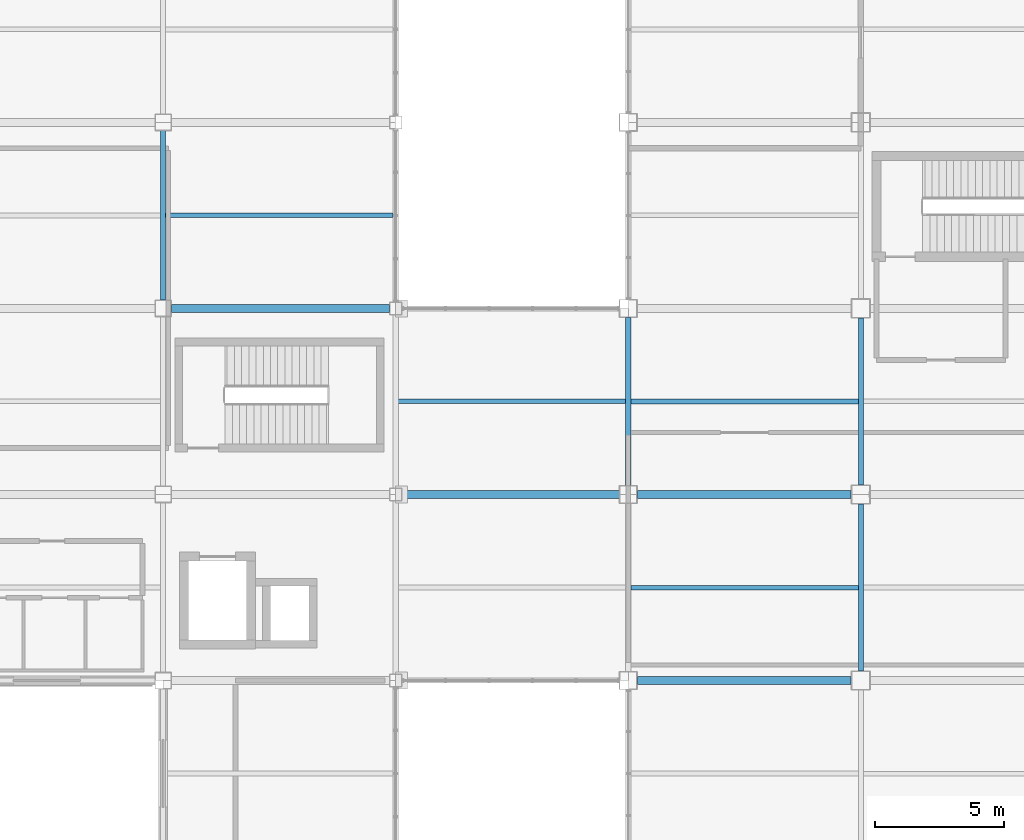
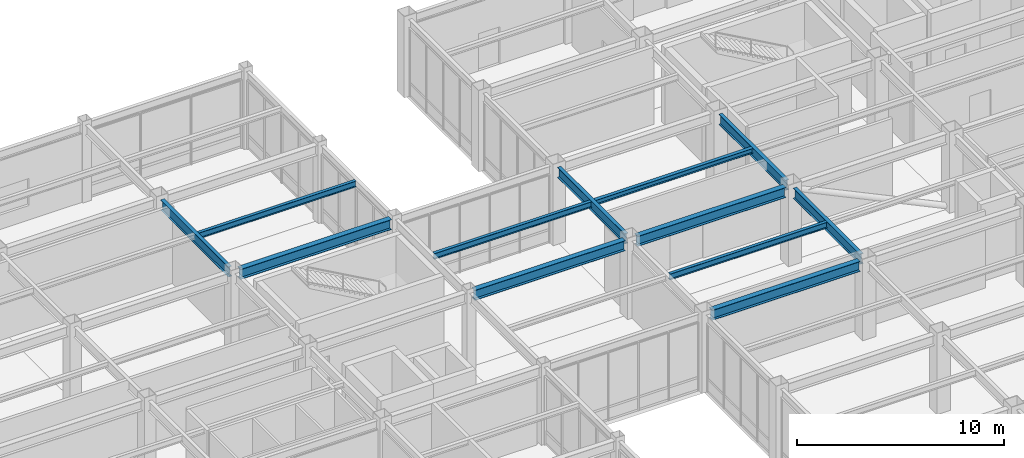
# One storey, part 65 of 112: 12 beams.
"""IFC4 building model written with IfcOpenShell, lengths in metres."""

import ifcopenshell
import ifcopenshell.guid

model = None  # the IFC model being written
_history = None  # IfcOwnerHistory: only IFC2X3 demands one
_inside = {}  # id of a spatial element -> (the spatial element, [elements in it])
_under = {}  # id of a project, library or spatial element -> (it, [spatial elements below it])
_declared = {}  # id of a project -> (the project, [libraries it declares])
_typed = {}  # id of a type object -> (the type object, [elements of that type])
_made_of = {}  # id of a material, layer set ... -> (it, [elements and type objects made of it])


def new_model(schema):
    """Start an empty IFC model of exactly this schema.

    Asked for "IFC4X3", IfcOpenShell would pick the latest addendum, in which some entities
    have other attributes; the version numbers below select the first issue.
    IFC2X3 requires an IfcOwnerHistory on every rooted entity: one is made here for all.
    """
    global model, _history
    if schema == "IFC4X3":
        model = ifcopenshell.file(schema_version=(4, 3, 0, 0))
    else:
        model = ifcopenshell.file(schema=schema)
    _inside.clear()
    _under.clear()
    _declared.clear()
    _typed.clear()
    _made_of.clear()
    _history = None
    if model.schema == "IFC2X3":
        org = make("IfcOrganization", Name="unknown")
        user = make(
            "IfcPersonAndOrganization",
            ThePerson=make("IfcPerson", FamilyName="unknown"),
            TheOrganization=org,
        )
        app = make(
            "IfcApplication",
            ApplicationDeveloper=org,
            Version="unknown",
            ApplicationFullName="unknown",
            ApplicationIdentifier="unknown",
        )
        _history = make(
            "IfcOwnerHistory",
            OwningUser=user,
            OwningApplication=app,
            ChangeAction="ADDED",
            CreationDate=0,
        )
    return model


def make(cls, **values):
    """One entity of the class cls with the attributes given. An attribute that is None is left unset."""
    return model.create_entity(
        cls, **{name: value for name, value in values.items() if value is not None}
    )


def rooted(cls, **values):
    """An entity with a GlobalId (a new one), such as an element, a storey or a relation."""
    return make(cls, GlobalId=ifcopenshell.guid.new(), OwnerHistory=_history, **values)


def si_unit(unit_type, name, prefix=None):
    """IfcSIUnit, for example si_unit("LENGTHUNIT", "METRE", prefix="MILLI")."""
    return make("IfcSIUnit", UnitType=unit_type, Prefix=prefix, Name=name)


def assignment(units):
    """IfcUnitAssignment: the units of a project."""
    return None if units is None else make("IfcUnitAssignment", Units=units)


def point(xyz):
    """IfcCartesianPoint."""
    return None if xyz is None else make("IfcCartesianPoint", Coordinates=xyz)


def direction(xyz):
    """IfcDirection."""
    return None if xyz is None else make("IfcDirection", DirectionRatios=xyz)


def frame(location, z_axis=None, x_axis=None):
    """IfcAxis2Placement3D, a coordinate frame: its origin and axes. An axis left out is left unset."""
    return make(
        "IfcAxis2Placement3D",
        Location=point(location),
        Axis=direction(z_axis),
        RefDirection=direction(x_axis),
    )


def frame_2d(location, x_axis=None):
    """IfcAxis2Placement2D, a coordinate frame in the plane: its origin and x axis."""
    return make(
        "IfcAxis2Placement2D", Location=point(location), RefDirection=direction(x_axis)
    )


def origin():
    """The frame at (0, 0, 0) with its axes left unset."""
    return frame((0.0, 0.0, 0.0))


def origin_2d():
    """The frame at (0, 0) in the plane with its x axis left unset."""
    return frame_2d((0.0, 0.0))


def place(relative_to, where):
    """IfcLocalPlacement: puts the frame where relative to a parent placement (None: the world)."""
    return make(
        "IfcLocalPlacement", PlacementRelTo=relative_to, RelativePlacement=where
    )


def context(
    kind, dimensions, precision=None, world=None, true_north=None, identifier=None
):
    """IfcGeometricRepresentationContext, for example the 3D "Model" context."""
    return make(
        "IfcGeometricRepresentationContext",
        ContextIdentifier=identifier,
        ContextType=kind,
        CoordinateSpaceDimension=dimensions,
        Precision=precision,
        WorldCoordinateSystem=world,
        TrueNorth=true_north,
    )


def subcontext(parent, identifier, kind, view, scale=None):
    """IfcGeometricRepresentationSubContext, for example "Body" below "Model"."""
    return make(
        "IfcGeometricRepresentationSubContext",
        ContextIdentifier=identifier,
        ContextType=kind,
        ParentContext=parent,
        TargetScale=scale,
        TargetView=view,
    )


def project(units=None, contexts=None):
    """IfcProject with its units and contexts."""
    return rooted(
        "IfcProject",
        Name="project",
        RepresentationContexts=contexts,
        UnitsInContext=assignment(units),
    )


def spatial(cls, under=None, at=None, **own):
    """A site, building, storey or space (cls), placed at a placement, below another one or the project."""
    s = rooted(cls, ObjectPlacement=at, **own)
    if under is not None:
        _under.setdefault(under.id(), (under, []))[1].append(s)
    return s


def profile(cls, at=None, kind="AREA", **sizes):
    """A parametric profile (cls). Its sizes go by their IFC names, for example OverallWidth=200.0."""
    return make(cls, ProfileType=kind, Position=at, **sizes)


def i_section(**sizes):
    """IfcIShapeProfileDef."""
    return profile("IfcIShapeProfileDef", **sizes)


def extrude(swept, where, along, depth):
    """IfcExtrudedAreaSolid: the profile swept, set in the frame where, extruded along a direction by depth."""
    return make(
        "IfcExtrudedAreaSolid",
        SweptArea=swept,
        Position=where,
        ExtrudedDirection=direction(along),
        Depth=depth,
    )


def shape(context_of_items, identifier, shape_type, items):
    """IfcShapeRepresentation: the items that make up one representation, for example the "Body"."""
    return make(
        "IfcShapeRepresentation",
        ContextOfItems=context_of_items,
        RepresentationIdentifier=identifier,
        RepresentationType=shape_type,
        Items=items,
    )


def material(Name=None, Category=None):
    """IfcMaterial."""
    return make("IfcMaterial", Name=Name, Category=Category)


def material_profile(
    of_material, cross_section, Name=None, Category=None, Priority=None
):
    """IfcMaterialProfile: a cross section and its material."""
    return make(
        "IfcMaterialProfile",
        Name=Name,
        Material=of_material,
        Profile=cross_section,
        Priority=Priority,
        Category=Category,
    )


def profile_set(profiles, Name=None, composite=None):
    """IfcMaterialProfileSet."""
    return make(
        "IfcMaterialProfileSet",
        Name=Name,
        MaterialProfiles=profiles,
        CompositeProfile=composite,
    )


def made_of(thing, what):
    """Note that an element or type object is made of a material, layer set ...; save() writes the relation."""
    if what is not None:
        _made_of.setdefault(what.id(), (what, []))[1].append(thing)
    return thing


def type_object(cls, material=None, **own):
    """A type object (cls), such as IfcWallType, which elements share."""
    return made_of(rooted(cls, **own), material)


def element(
    cls,
    number,
    at=None,
    inside=None,
    cuts=None,
    type_object=None,
    material=None,
    context=None,
    identifier="Body",
    shape_type=None,
    held_by="IfcProductDefinitionShape",
    body=None,
    shapes=None,
    **own,
):
    """One element of the class cls, such as IfcWall. Its Tag is "e" and its number.

    at: its placement. inside: the storey or other place that contains it. cuts: it is an
    opening in that element (IfcRelVoidsElement). A single representation is given by context,
    identifier, shape_type and body (its items); several are given by shapes. held_by: the class
    of the entity that holds the representations. save() writes the other relations.
    """
    e = rooted(cls, Tag="e%d" % number, ObjectPlacement=at, **own)
    if body is not None:
        shapes = [shape(context, identifier, shape_type, body)]
    if shapes is not None:
        e.Representation = make(held_by, Representations=shapes)
    if inside is not None:
        _inside.setdefault(inside.id(), (inside, []))[1].append(e)
    if cuts is not None:
        rooted(
            "IfcRelVoidsElement", RelatingBuildingElement=cuts, RelatedOpeningElement=e
        )
    if type_object is not None:
        _typed.setdefault(type_object.id(), (type_object, []))[1].append(e)
    return made_of(e, material)


def aggregate(whole, parts):
    """IfcRelAggregates: a whole, such as a stair, and the parts it consists of."""
    return rooted("IfcRelAggregates", RelatingObject=whole, RelatedObjects=parts)


def save(model, path):
    """Write the relations noted so far, then the file.

    IfcRelAggregates (storeys below a building ...), IfcRelContainedInSpatialStructure (elements
    in a storey), IfcRelDefinesByType, IfcRelAssociatesMaterial and IfcRelDeclares: one each for
    every whole, place, type object, material and project.
    """
    for whole, parts in _under.values():
        aggregate(whole, parts)
    for where, things in _inside.values():
        rooted(
            "IfcRelContainedInSpatialStructure",
            RelatedElements=things,
            RelatingStructure=where,
        )
    for kind, things in _typed.values():
        rooted("IfcRelDefinesByType", RelatedObjects=things, RelatingType=kind)
    for what, things in _made_of.values():
        rooted("IfcRelAssociatesMaterial", RelatedObjects=things, RelatingMaterial=what)
    for by, libraries in _declared.values():
        rooted("IfcRelDeclares", RelatingContext=by, RelatedDefinitions=libraries)
    model.write(path)


model = new_model("IFC4")

# Units and contexts
model_context = context("Model", 3, precision=1e-05, world=origin(), true_north=direction((0.0, 1.0)))
body_context = subcontext(model_context, "Body", "Model", "MODEL_VIEW")
ifc_project = project(units=[si_unit("LENGTHUNIT", "METRE"), si_unit("AREAUNIT", "SQUARE_METRE"), si_unit("VOLUMEUNIT", "CUBIC_METRE"), si_unit("PLANEANGLEUNIT", "RADIAN"), si_unit("MASSUNIT", "GRAM", prefix="KILO")], contexts=[model_context])

# Site, building, storey
site_placement = place(None, origin())
site = spatial("IfcSite", under=ifc_project, at=site_placement, CompositionType="ELEMENT")
building_placement = place(site_placement, origin())
building = spatial("IfcBuilding", under=site, at=building_placement, Name="Kazanami Central Library", CompositionType="ELEMENT")
storey_placement = place(building_placement, origin())
storey = spatial("IfcBuildingStorey", under=building, at=storey_placement, Name="L01", CompositionType="ELEMENT", Elevation=0.0)

# Beams
ifc_material_1 = material(Name="Steel SN400B (235 MPa)", Category="steel")
ifc_material_profile_1 = material_profile(ifc_material_1, i_section(OverallWidth=0.175048828125, OverallDepth=0.35009765625, WebThickness=0.007080078125, FlangeThickness=0.010986328125, at=origin_2d()), Name="H-350x175x7x11")
ifc_profile_set_1 = profile_set([ifc_material_profile_1], Name="Steel SN400B (235 MPa)")
beam_type_1 = type_object("IfcBeamType", Name="BM-B-S2", PredefinedType="JOIST", material=ifc_profile_set_1)
for number, where, z_axis, x_axis, name in (
    (1, (99.097900390625, 82.800048828125, 4.3798828125), (1.0, 0.0, 0.0), (0.0, 1.0, 0.0), "Composite Secondary Joist B-S2 L01 Bay 12/M.1"),
    (2, (108.097900390625, 75.60009765625, 4.3798828125), (1.0, 0.0, 0.0), (0.0, 1.0, 0.0), "Composite Secondary Joist B-S2 L01 Bay 13/L.1"),
    (3, (117.097900390625, 68.39990234375, 4.3798828125), (1.0, 0.0, 0.0), (0.0, 1.0, 0.0), "Composite Secondary Joist B-S2 L01 Bay 14/K.1"),
):
    element("IfcBeam", number, at=place(storey_placement, frame(where, z_axis=z_axis, x_axis=x_axis)), inside=storey, type_object=beam_type_1, Name=name, PredefinedType="JOIST", context=body_context, shape_type="SweptSolid", body=[
        extrude(i_section(OverallWidth=0.175048828125, OverallDepth=0.35009765625, WebThickness=0.007080078125, FlangeThickness=0.010986328125, at=origin_2d()), origin(), (0.0, 0.0, 1.0), 8.80419921875),
    ])
ifc_material_profile_2 = material_profile(ifc_material_1, i_section(OverallWidth=0.199951171875, OverallDepth=0.2939453125, WebThickness=0.008056640625, FlangeThickness=0.011962890625, at=origin_2d()), Name="H-294x200x8x12")
ifc_profile_set_2 = profile_set([ifc_material_profile_2], Name="Steel SN400B (235 MPa)")
beam_type_2 = type_object("IfcBeamType", Name="BM-B-S5", PredefinedType="JOIST", material=ifc_profile_set_2)
beam_1_placement = place(storey_placement, frame((117.097900390625, 75.60009765625, 4.407958984375), z_axis=(1.0, 0.0, 0.0), x_axis=(0.0, 1.0, 0.0)))
element("IfcBeam", 4, at=beam_1_placement, inside=storey, type_object=beam_type_2, Name="Composite Secondary Joist B-S5 L01 Bay 14/L.1", PredefinedType="JOIST", context=body_context, shape_type="SweptSolid", body=[
    extrude(i_section(OverallWidth=0.199951171875, OverallDepth=0.2939453125, WebThickness=0.008056640625, FlangeThickness=0.011962890625, at=origin_2d()), origin(), (0.0, 0.0, 1.0), 8.80419921875),
])
ifc_material_2 = material(Name="Steel SN490B (325 MPa)", Category="steel")
ifc_material_profile_3 = material_profile(ifc_material_2, i_section(OverallWidth=0.300048828125, OverallDepth=0.60009765625, WebThickness=0.011962890625, FlangeThickness=0.02001953125, at=origin_2d()), Name="H-600x300x12x20")
ifc_profile_set_3 = profile_set([ifc_material_profile_3], Name="Steel SN490B (325 MPa)")
beam_type_3 = type_object("IfcBeamType", Name="BM-G-X1", PredefinedType="BEAM", material=ifc_profile_set_3)
beam_2_placement = place(storey_placement, frame((117.347900390625, 64.800048828125, 4.2548828125), z_axis=(1.0, 0.0, 0.0), x_axis=(0.0, 1.0, 0.0)))
element("IfcBeam", 5, at=beam_2_placement, inside=storey, type_object=beam_type_3, Name="Girder G-X1 L01 K/14-15", PredefinedType="BEAM", context=body_context, shape_type="SweptSolid", body=[
    extrude(i_section(OverallWidth=0.300048828125, OverallDepth=0.60009765625, WebThickness=0.011962890625, FlangeThickness=0.02001953125, at=origin_2d()), origin(), (0.0, 0.0, 1.0), 8.279052734375),
])
beam_3_placement = place(storey_placement, frame((108.248046875, 72.0, 4.2548828125), z_axis=(1.0, 0.0, 0.0), x_axis=(0.0, 1.0, 0.0)))
element("IfcBeam", 6, at=beam_3_placement, inside=storey, type_object=beam_type_3, Name="Covered Link Bridge Girder G-X1 L01 L/13-14", PredefinedType="BEAM", context=body_context, shape_type="SweptSolid", body=[
    extrude(i_section(OverallWidth=0.300048828125, OverallDepth=0.60009765625, WebThickness=0.011962890625, FlangeThickness=0.02001953125, at=origin_2d()), origin(), (0.0, 0.0, 1.0), 8.404052734375),
])
beam_4_placement = place(storey_placement, frame((117.347900390625, 72.0, 4.2548828125), z_axis=(1.0, 0.0, 0.0), x_axis=(0.0, 1.0, 0.0)))
element("IfcBeam", 7, at=beam_4_placement, inside=storey, type_object=beam_type_3, Name="Girder G-X1 L01 L/14-15", PredefinedType="BEAM", context=body_context, shape_type="SweptSolid", body=[
    extrude(i_section(OverallWidth=0.300048828125, OverallDepth=0.60009765625, WebThickness=0.011962890625, FlangeThickness=0.02001953125, at=origin_2d()), origin(), (0.0, 0.0, 1.0), 8.279052734375),
])
beam_5_placement = place(storey_placement, frame((99.322998046875, 79.199951171875, 4.2548828125), z_axis=(1.0, 0.0, 0.0), x_axis=(0.0, 1.0, 0.0)))
element("IfcBeam", 8, at=beam_5_placement, inside=storey, type_object=beam_type_3, Name="Girder G-X1 L01 M/12-13", PredefinedType="BEAM", context=body_context, shape_type="SweptSolid", body=[
    extrude(i_section(OverallWidth=0.300048828125, OverallDepth=0.60009765625, WebThickness=0.011962890625, FlangeThickness=0.02001953125, at=origin_2d()), origin(), (0.0, 0.0, 1.0), 8.428955078125),
])
ifc_material_profile_4 = material_profile(ifc_material_2, i_section(OverallWidth=0.199951171875, OverallDepth=0.60009765625, WebThickness=0.010986328125, FlangeThickness=0.01708984375, at=origin_2d()), Name="H-600x200x11x17")
ifc_profile_set_4 = profile_set([ifc_material_profile_4], Name="Steel SN490B (325 MPa)")
beam_type_4 = type_object("IfcBeamType", Name="BM-G-Y1", PredefinedType="BEAM", material=ifc_profile_set_4)
beam_6_placement = place(storey_placement, frame((99.0, 79.52294921875, 4.2548828125), z_axis=(0.0, 1.0, 0.0), x_axis=(-1.0, 0.0, 0.0)))
element("IfcBeam", 9, at=beam_6_placement, inside=storey, type_object=beam_type_4, Name="Girder G-Y1 L01 12/M-N", PredefinedType="BEAM", context=body_context, shape_type="SweptSolid", body=[
    extrude(i_section(OverallWidth=0.199951171875, OverallDepth=0.60009765625, WebThickness=0.010986328125, FlangeThickness=0.01708984375, at=origin_2d()), origin(), (0.0, 0.0, 1.0), 6.553955078125),
])
beam_7_placement = place(storey_placement, frame((117.0, 72.347900390625, 4.2548828125), z_axis=(0.0, 1.0, 0.0), x_axis=(-1.0, 0.0, 0.0)))
element("IfcBeam", 10, at=beam_7_placement, inside=storey, type_object=beam_type_4, Name="Girder G-Y1 L01 14/L-M", PredefinedType="BEAM", context=body_context, shape_type="SweptSolid", body=[
    extrude(i_section(OverallWidth=0.199951171875, OverallDepth=0.60009765625, WebThickness=0.010986328125, FlangeThickness=0.01708984375, at=origin_2d()), origin(), (0.0, 0.0, 1.0), 6.504150390625),
])
for number, where, z_axis, x_axis, name in (
    (11, (126.0, 65.173095703125, 4.2548828125), (0.0, 1.0, 0.0), (-1.0, 0.0, 0.0), "Girder G-Y1 L01 15/K-L"),
    (12, (126.0, 72.373046875, 4.2548828125), (0.0, 1.0, 0.0), (-1.0, 0.0, 0.0), "Girder G-Y1 L01 15/L-M"),
):
    element("IfcBeam", number, at=place(storey_placement, frame(where, z_axis=z_axis, x_axis=x_axis)), inside=storey, type_object=beam_type_4, Name=name, PredefinedType="BEAM", context=body_context, shape_type="SweptSolid", body=[
        extrude(i_section(OverallWidth=0.199951171875, OverallDepth=0.60009765625, WebThickness=0.010986328125, FlangeThickness=0.01708984375, at=origin_2d()), origin(), (0.0, 0.0, 1.0), 6.453857421875),
    ])

save(model, "model.ifc")
